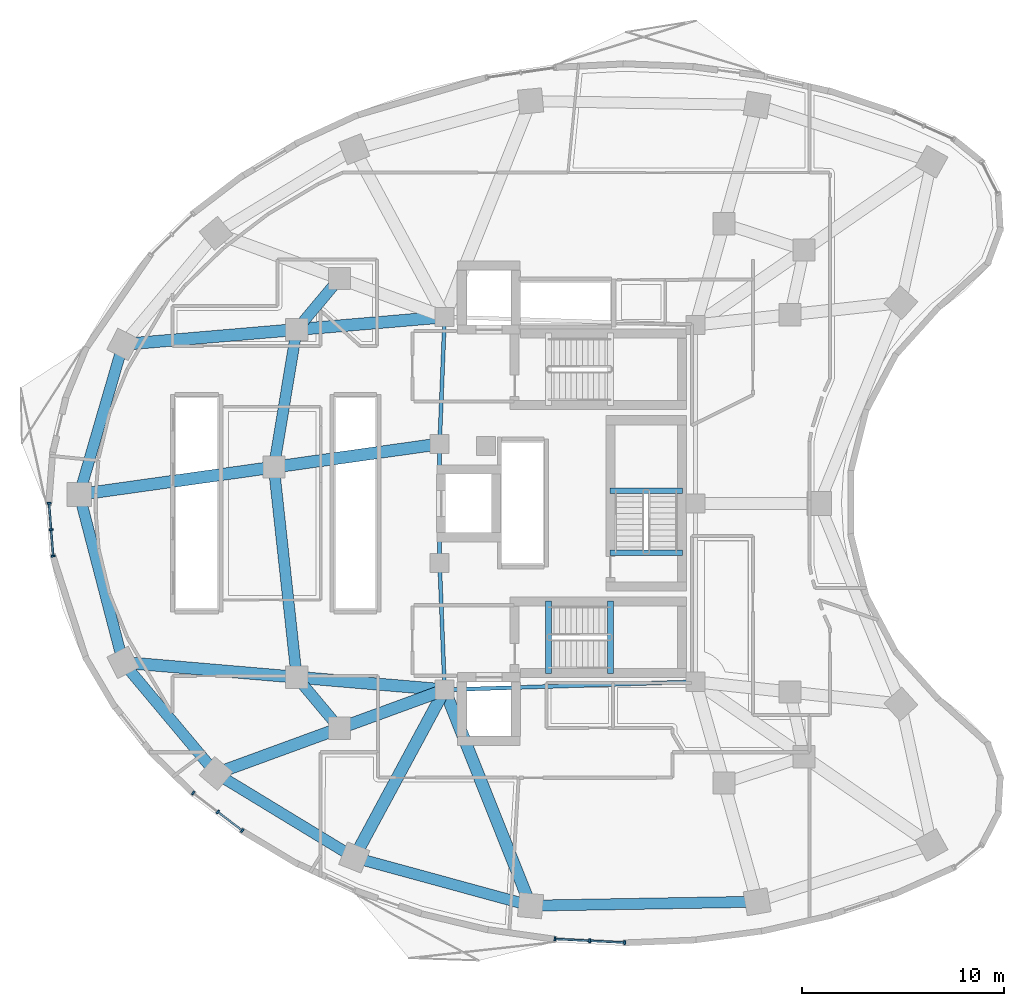
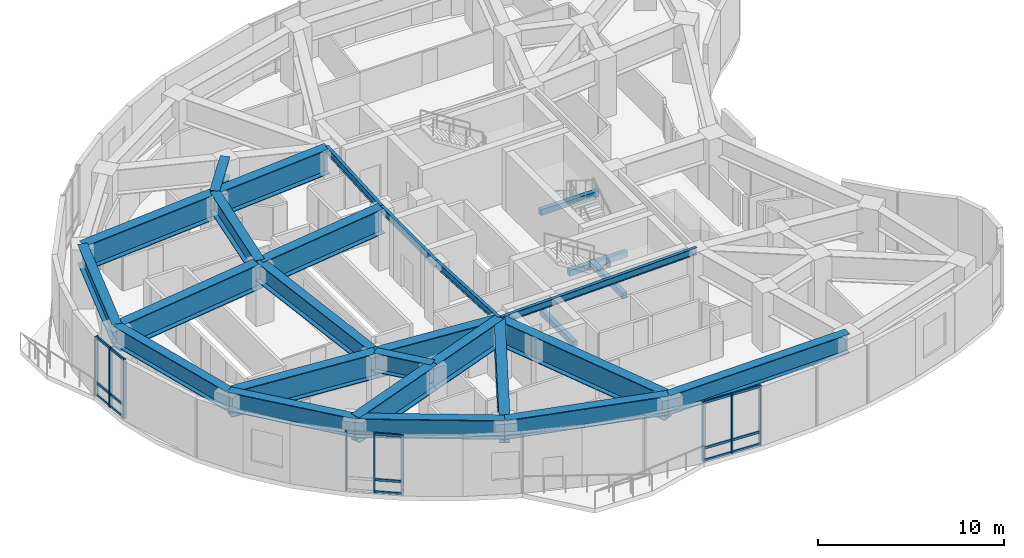
# One storey, part 2 of 13: 28 beams, 24 members, 3 elements without a shape of their own.
"""IFC4 building model written with IfcOpenShell, lengths in metres."""

from ifc_helpers import new_model, si_unit, direction, frame, origin, origin_2d, place, context, subcontext, project, spatial, rectangle, i_section, extrude, material, layer, layer_set, material_profile, profile_set, type_object, element, aggregate, save


model = new_model("IFC4")

# Units and contexts
model_context = context("Model", 3, precision=1e-05, world=origin(), true_north=direction((0.0, 1.0)))
body_context = subcontext(model_context, "Body", "Model", "MODEL_VIEW")
ifc_project = project(units=[si_unit("LENGTHUNIT", "METRE"), si_unit("AREAUNIT", "SQUARE_METRE"), si_unit("VOLUMEUNIT", "CUBIC_METRE"), si_unit("PLANEANGLEUNIT", "RADIAN"), si_unit("MASSUNIT", "GRAM", prefix="KILO")], contexts=[model_context])

# Site, building, storey
site_placement = place(None, origin())
site = spatial("IfcSite", under=ifc_project, at=site_placement, CompositionType="ELEMENT")
building_placement = place(site_placement, origin())
building = spatial("IfcBuilding", under=site, at=building_placement, Name="Korentha Bioscience Tower", CompositionType="ELEMENT")
storey_placement = place(building_placement, frame((0.0, 0.0, 144.60009765625)))
storey = spatial("IfcBuildingStorey", under=building, at=storey_placement, Name="L33", CompositionType="ELEMENT", Elevation=144.60009765625)

# Beams
ifc_material_1 = material(Name="Concrete C50", Category="concrete")
ifc_material_profile_1 = material_profile(ifc_material_1, rectangle(XDim=0.280029296875, YDim=0.3798828125, at=origin_2d()), Name="Concrete C50")
ifc_profile_set_1 = profile_set([ifc_material_profile_1], Name="Concrete C50 (ST-HB380)")
beam_type_1 = type_object("IfcBeamType", Name="Concrete Stair Header Beam RC 280x380", PredefinedType="BEAM", material=ifc_profile_set_1)
for number, where, z_axis, x_axis, name in (
    (1, (30.25, 18.550048828125, -0.190185546875), (0.0, 1.0, 0.0), (-1.0, 0.0, 0.0), "L33 ST-2 Concrete Stair Header Beam"),
    (2, (33.330078125, 18.550048828125, 1.909912109375), (0.0, 1.0, 0.0), (-1.0, 0.0, 0.0), "L33 ST-2 Half-Landing Header Beam 1"),
    (3, (36.89990234375, 24.550048828125, -0.190185546875), (-1.0, 0.0, 0.0), (0.0, -1.0, 0.0), "L33 ST-3 Concrete Stair Header Beam"),
    (4, (36.89990234375, 27.6298828125, 1.909912109375), (-1.0, 0.0, 0.0), (0.0, -1.0, 0.0), "L33 ST-3 Half-Landing Header Beam 1"),
):
    element("IfcBeam", number, at=place(storey_placement, frame(where, z_axis=z_axis, x_axis=x_axis)), inside=storey, type_object=beam_type_1, Name=name, PredefinedType="BEAM", context=body_context, shape_type="SweptSolid", body=[
        extrude(rectangle(XDim=0.280029296875, YDim=0.3798828125, at=origin_2d()), origin(), (0.0, 0.0, 1.0), 3.599853515625),
    ])
ifc_material_2 = material(Name="Steel S355", Category="steel")
ifc_material_profile_2 = material_profile(ifc_material_2, i_section(OverallWidth=0.550048828125, OverallDepth=1.25, WebThickness=0.02392578125, FlangeThickness=0.0400390625, at=origin_2d()), Name="Steel S355")
ifc_profile_set_2 = profile_set([ifc_material_profile_2], Name="Steel S355 (TG-03)")
beam_type_2 = type_object("IfcBeamType", Name="Crown Step Transfer Girder CVS 1250x510", PredefinedType="USERDEFINED", material=ifc_profile_set_2)
beam_1_placement = place(storey_placement, frame((19.882568359375, 38.158935546875, 3.2548828125), z_axis=(-0.642121371708, -0.766602989817, 0.0), x_axis=(0.766602989817, -0.642121371708, 0.0)))
element("IfcBeam", 5, at=beam_1_placement, inside=storey, type_object=beam_type_2, Name="L33 Mid-Ring Tie Girder 05", ObjectType="TRANSFER_GIRDER", PredefinedType="USERDEFINED", context=body_context, shape_type="SweptSolid", body=[
    extrude(i_section(OverallWidth=0.550048828125, OverallDepth=1.25, WebThickness=0.02392578125, FlangeThickness=0.0400390625, at=origin_2d()), origin(), (0.0, 0.0, 1.0), 3.306640625),
])
beam_2_placement = place(storey_placement, frame((17.75927734375, 35.6240234375, 3.2548828125), z_axis=(-0.163580878592, -0.986529926641, 0.0), x_axis=(0.986529926641, -0.163580878592, 0.0)))
element("IfcBeam", 6, at=beam_2_placement, inside=storey, type_object=beam_type_2, Name="L33 Mid-Ring Tie Girder 06", ObjectType="TRANSFER_GIRDER", PredefinedType="USERDEFINED", context=body_context, shape_type="SweptSolid", body=[
    extrude(i_section(OverallWidth=0.550048828125, OverallDepth=1.25, WebThickness=0.02392578125, FlangeThickness=0.0400390625, at=origin_2d()), origin(), (0.0, 0.0, 1.0), 6.920654296875),
])
beam_3_placement = place(storey_placement, frame((16.627197265625, 28.796630859375, 3.2548828125), z_axis=(0.108002632645, -0.994150607977, 0.0), x_axis=(0.994150607977, 0.108002632645, 0.0)))
element("IfcBeam", 7, at=beam_3_placement, inside=storey, type_object=beam_type_2, Name="L33 Mid-Ring Tie Girder 07", ObjectType="TRANSFER_GIRDER", PredefinedType="USERDEFINED", context=body_context, shape_type="SweptSolid", body=[
    extrude(i_section(OverallWidth=0.550048828125, OverallDepth=1.25, WebThickness=0.02392578125, FlangeThickness=0.0400390625, at=origin_2d()), origin(), (0.0, 0.0, 1.0), 10.48193359375),
])
beam_4_placement = place(storey_placement, frame((17.75927734375, 18.3759765625, 3.2548828125), z_axis=(0.642121371708, -0.766602989817, 0.0), x_axis=(0.766602989817, 0.642121371708, 0.0)))
element("IfcBeam", 8, at=beam_4_placement, inside=storey, type_object=beam_type_2, Name="L33 Mid-Ring Tie Girder 08", ObjectType="TRANSFER_GIRDER", PredefinedType="USERDEFINED", context=body_context, shape_type="SweptSolid", body=[
    extrude(i_section(OverallWidth=0.550048828125, OverallDepth=1.25, WebThickness=0.02392578125, FlangeThickness=0.0400390625, at=origin_2d()), origin(), (0.0, 0.0, 1.0), 3.306640625),
])
beam_5_placement = place(storey_placement, frame((9.141845703125, 34.889404296875, 3.2548828125), z_axis=(-0.279486251653, -0.960149694129, 0.0), x_axis=(0.960149694129, -0.279486251653, 0.0)))
element("IfcBeam", 9, at=beam_5_placement, inside=storey, type_object=beam_type_2, Name="L33 Perimeter Spandrel Girder 06", ObjectType="TRANSFER_GIRDER", PredefinedType="USERDEFINED", context=body_context, shape_type="SweptSolid", body=[
    extrude(i_section(OverallWidth=0.550048828125, OverallDepth=1.25, WebThickness=0.02392578125, FlangeThickness=0.0400390625, at=origin_2d()), origin(), (0.0, 0.0, 1.0), 7.756103515625),
])
beam_6_placement = place(storey_placement, frame((6.97412109375, 27.4423828125, 3.2548828125), z_axis=(0.251792692694, -0.96778119423, 0.0), x_axis=(0.96778119423, 0.251792692694, 0.0)))
element("IfcBeam", 10, at=beam_6_placement, inside=storey, type_object=beam_type_2, Name="L33 Perimeter Spandrel Girder 07", ObjectType="TRANSFER_GIRDER", PredefinedType="USERDEFINED", context=body_context, shape_type="SweptSolid", body=[
    extrude(i_section(OverallWidth=0.550048828125, OverallDepth=1.25, WebThickness=0.02392578125, FlangeThickness=0.0400390625, at=origin_2d()), origin(), (0.0, 0.0, 1.0), 8.609130859375),
])
beam_7_placement = place(storey_placement, frame((9.141845703125, 19.110595703125, 3.2548828125), z_axis=(0.642126556076, -0.76659864726, 0.0), x_axis=(0.76659864726, 0.642126556076, 0.0)))
element("IfcBeam", 11, at=beam_7_placement, inside=storey, type_object=beam_type_2, Name="L33 Perimeter Spandrel Girder 08", ObjectType="TRANSFER_GIRDER", PredefinedType="USERDEFINED", context=body_context, shape_type="SweptSolid", body=[
    extrude(i_section(OverallWidth=0.550048828125, OverallDepth=1.25, WebThickness=0.02392578125, FlangeThickness=0.0400390625, at=origin_2d()), origin(), (0.0, 0.0, 1.0), 7.1884765625),
])
beam_8_placement = place(storey_placement, frame((13.7578125, 13.599853515625, 3.2548828125), z_axis=(0.854461040474, -0.51951547649, 0.0), x_axis=(0.51951547649, 0.854461040474, 0.0)))
element("IfcBeam", 12, at=beam_8_placement, inside=storey, type_object=beam_type_2, Name="L33 Perimeter Spandrel Girder 09", ObjectType="TRANSFER_GIRDER", PredefinedType="USERDEFINED", context=body_context, shape_type="SweptSolid", body=[
    extrude(i_section(OverallWidth=0.550048828125, OverallDepth=1.25, WebThickness=0.02392578125, FlangeThickness=0.0400390625, at=origin_2d()), origin(), (0.0, 0.0, 1.0), 8.025146484375),
])
beam_9_placement = place(storey_placement, frame((20.614990234375, 9.4306640625, 3.2548828125), z_axis=(0.964659386444, -0.263500034431, 0.0), x_axis=(0.263500034431, 0.964659386444, 0.0)))
element("IfcBeam", 13, at=beam_9_placement, inside=storey, type_object=beam_type_2, Name="L33 Perimeter Spandrel Girder 10", ObjectType="TRANSFER_GIRDER", PredefinedType="USERDEFINED", context=body_context, shape_type="SweptSolid", body=[
    extrude(i_section(OverallWidth=0.550048828125, OverallDepth=1.25, WebThickness=0.02392578125, FlangeThickness=0.0400390625, at=origin_2d()), origin(), (0.0, 0.0, 1.0), 9.06982421875),
])
beam_10_placement = place(storey_placement, frame((29.3642578125, 7.040771484375, 3.2548828125), z_axis=(0.999850566826, 0.017287105523, 0.0), x_axis=(-0.017287105523, 0.999850566826, 0.0)))
element("IfcBeam", 14, at=beam_10_placement, inside=storey, type_object=beam_type_2, Name="L33 Perimeter Spandrel Girder 11", ObjectType="TRANSFER_GIRDER", PredefinedType="USERDEFINED", context=body_context, shape_type="SweptSolid", body=[
    extrude(i_section(OverallWidth=0.550048828125, OverallDepth=1.25, WebThickness=0.02392578125, FlangeThickness=0.0400390625, at=origin_2d()), origin(), (0.0, 0.0, 1.0), 11.24169921875),
])
ifc_material_profile_3 = material_profile(ifc_material_2, i_section(OverallWidth=0.60009765625, OverallDepth=1.64990234375, WebThickness=0.02587890625, FlangeThickness=0.0439453125, at=origin_2d()), Name="Steel S355")
ifc_profile_set_3 = profile_set([ifc_material_profile_3], Name="Steel S355 (TG-04)")
beam_type_3 = type_object("IfcBeamType", Name="Deep Setback Transfer Girder CVS 1650x620", PredefinedType="USERDEFINED", material=ifc_profile_set_3)
beam_11_placement = place(storey_placement, frame((25.10009765625, 36.25, 3.054931640625), z_axis=(-0.996383934197, -0.084965026183, 0.0), x_axis=(0.084965026183, -0.996383934197, 0.0)))
element("IfcBeam", 15, at=beam_11_placement, inside=storey, type_object=beam_type_3, Name="L33 Inner Radial Transfer Girder 06", ObjectType="TRANSFER_GIRDER", PredefinedType="USERDEFINED", context=body_context, shape_type="SweptSolid", body=[
    extrude(i_section(OverallWidth=0.60009765625, OverallDepth=1.64990234375, WebThickness=0.02587890625, FlangeThickness=0.0439453125, at=origin_2d()), origin(), (0.0, 0.0, 1.0), 7.367431640625),
])
beam_12_placement = place(storey_placement, frame((17.75927734375, 35.6240234375, 3.054931640625), z_axis=(-0.996386071548, -0.084939957767, 0.0), x_axis=(0.084939957767, -0.996386071548, 0.0)))
element("IfcBeam", 16, at=beam_12_placement, inside=storey, type_object=beam_type_3, Name="L33 Outer Radial Transfer Girder 06", ObjectType="TRANSFER_GIRDER", PredefinedType="USERDEFINED", context=body_context, shape_type="SweptSolid", body=[
    extrude(i_section(OverallWidth=0.60009765625, OverallDepth=1.64990234375, WebThickness=0.02587890625, FlangeThickness=0.0439453125, at=origin_2d()), origin(), (0.0, 0.0, 1.0), 8.648681640625),
])
beam_13_placement = place(storey_placement, frame((24.85009765625, 29.949951171875, 3.054931640625), z_axis=(-0.990306752817, -0.13889757134, 0.0), x_axis=(0.13889757134, -0.990306752817, 0.0)))
element("IfcBeam", 17, at=beam_13_placement, inside=storey, type_object=beam_type_3, Name="L33 Inner Radial Transfer Girder 07", ObjectType="TRANSFER_GIRDER", PredefinedType="USERDEFINED", context=body_context, shape_type="SweptSolid", body=[
    extrude(i_section(OverallWidth=0.60009765625, OverallDepth=1.64990234375, WebThickness=0.02587890625, FlangeThickness=0.0439453125, at=origin_2d()), origin(), (0.0, 0.0, 1.0), 8.303466796875),
])
beam_14_placement = place(storey_placement, frame((16.627197265625, 28.796630859375, 3.054931640625), z_axis=(-0.99030201931, -0.138931315944, 0.0), x_axis=(0.138931315944, -0.99030201931, 0.0)))
element("IfcBeam", 18, at=beam_14_placement, inside=storey, type_object=beam_type_3, Name="L33 Outer Radial Transfer Girder 07", ObjectType="TRANSFER_GIRDER", PredefinedType="USERDEFINED", context=body_context, shape_type="SweptSolid", body=[
    extrude(i_section(OverallWidth=0.60009765625, OverallDepth=1.64990234375, WebThickness=0.02587890625, FlangeThickness=0.0439453125, at=origin_2d()), origin(), (0.0, 0.0, 1.0), 9.74755859375),
])
beam_15_placement = place(storey_placement, frame((25.10009765625, 17.75, 3.054931640625), z_axis=(-0.996383934197, 0.084965026183, 0.0), x_axis=(-0.084965026183, -0.996383934197, 0.0)))
element("IfcBeam", 19, at=beam_15_placement, inside=storey, type_object=beam_type_3, Name="L33 Inner Radial Transfer Girder 08", ObjectType="TRANSFER_GIRDER", PredefinedType="USERDEFINED", context=body_context, shape_type="SweptSolid", body=[
    extrude(i_section(OverallWidth=0.60009765625, OverallDepth=1.64990234375, WebThickness=0.02587890625, FlangeThickness=0.0439453125, at=origin_2d()), origin(), (0.0, 0.0, 1.0), 7.367431640625),
])
beam_16_placement = place(storey_placement, frame((17.75927734375, 18.3759765625, 3.054931640625), z_axis=(-0.996386071548, 0.084939957767, 0.0), x_axis=(-0.084939957767, -0.996386071548, 0.0)))
element("IfcBeam", 20, at=beam_16_placement, inside=storey, type_object=beam_type_3, Name="L33 Outer Radial Transfer Girder 08", ObjectType="TRANSFER_GIRDER", PredefinedType="USERDEFINED", context=body_context, shape_type="SweptSolid", body=[
    extrude(i_section(OverallWidth=0.60009765625, OverallDepth=1.64990234375, WebThickness=0.02587890625, FlangeThickness=0.0439453125, at=origin_2d()), origin(), (0.0, 0.0, 1.0), 8.648681640625),
])
beam_17_placement = place(storey_placement, frame((25.10009765625, 17.75, 3.054931640625), z_axis=(-0.939118010396, -0.343594765022, 0.0), x_axis=(0.343594765022, -0.939118010396, 0.0)))
element("IfcBeam", 21, at=beam_17_placement, inside=storey, type_object=beam_type_3, Name="L33 Inner Radial Transfer Girder 09", ObjectType="TRANSFER_GIRDER", PredefinedType="USERDEFINED", context=body_context, shape_type="SweptSolid", body=[
    extrude(i_section(OverallWidth=0.60009765625, OverallDepth=1.64990234375, WebThickness=0.02587890625, FlangeThickness=0.0439453125, at=origin_2d()), origin(), (0.0, 0.0, 1.0), 5.5556640625),
])
beam_18_placement = place(storey_placement, frame((19.882568359375, 15.841064453125, 3.054931640625), z_axis=(-0.939100755225, -0.343641923425, 0.0), x_axis=(0.343641923425, -0.939100755225, 0.0)))
element("IfcBeam", 22, at=beam_18_placement, inside=storey, type_object=beam_type_3, Name="L33 Outer Radial Transfer Girder 09", ObjectType="TRANSFER_GIRDER", PredefinedType="USERDEFINED", context=body_context, shape_type="SweptSolid", body=[
    extrude(i_section(OverallWidth=0.60009765625, OverallDepth=1.64990234375, WebThickness=0.02587890625, FlangeThickness=0.0439453125, at=origin_2d()), origin(), (0.0, 0.0, 1.0), 6.52197265625),
])
beam_19_placement = place(storey_placement, frame((25.10009765625, 17.75, 3.054931640625), z_axis=(-0.474548018732, -0.880229616587, 0.0), x_axis=(0.880229616587, -0.474548018732, 0.0)))
element("IfcBeam", 23, at=beam_19_placement, inside=storey, type_object=beam_type_3, Name="L33 Radial Transfer Girder 10", ObjectType="TRANSFER_GIRDER", PredefinedType="USERDEFINED", context=body_context, shape_type="SweptSolid", body=[
    extrude(i_section(OverallWidth=0.60009765625, OverallDepth=1.64990234375, WebThickness=0.02587890625, FlangeThickness=0.0439453125, at=origin_2d()), origin(), (0.0, 0.0, 1.0), 9.451416015625),
])
beam_20_placement = place(storey_placement, frame((25.10009765625, 17.75, 3.054931640625), z_axis=(0.369929528493, -0.929059817207, 0.0), x_axis=(0.929059817207, 0.369929528493, 0.0)))
element("IfcBeam", 24, at=beam_20_placement, inside=storey, type_object=beam_type_3, Name="L33 Radial Transfer Girder 11", ObjectType="TRANSFER_GIRDER", PredefinedType="USERDEFINED", context=body_context, shape_type="SweptSolid", body=[
    extrude(i_section(OverallWidth=0.60009765625, OverallDepth=1.64990234375, WebThickness=0.02587890625, FlangeThickness=0.0439453125, at=origin_2d()), origin(), (0.0, 0.0, 1.0), 11.52685546875),
])
ifc_material_profile_4 = material_profile(ifc_material_2, i_section(OverallWidth=0.18994140625, OverallDepth=0.45703125, WebThickness=0.009033203125, FlangeThickness=0.014404296875, at=origin_2d()), Name="Steel S355")
ifc_profile_set_4 = profile_set([ifc_material_profile_4], Name="Steel S355 (MB-460)")
beam_type_4 = type_object("IfcBeamType", Name="Mid-Ring Tie Girder W460x74", PredefinedType="BEAM", material=ifc_profile_set_4)
beam_21_placement = place(storey_placement, frame((25.10009765625, 36.25, 3.6513671875), z_axis=(-0.039651025576, -0.999213588864, 0.0), x_axis=(0.999213588864, -0.039651025576, 0.0)))
element("IfcBeam", 25, at=beam_21_placement, inside=storey, type_object=beam_type_4, Name="L33 Core Ring Tie Girder 02", PredefinedType="BEAM", context=body_context, shape_type="SweptSolid", body=[
    extrude(i_section(OverallWidth=0.18994140625, OverallDepth=0.45703125, WebThickness=0.009033203125, FlangeThickness=0.014404296875, at=origin_2d()), origin(), (0.0, 0.0, 1.0), 6.304931640625),
])
beam_22_placement = place(storey_placement, frame((24.85009765625, 29.949951171875, 3.6513671875), z_axis=(0.0, -1.0, 0.0), x_axis=(1.0, 0.0, 0.0)))
element("IfcBeam", 26, at=beam_22_placement, inside=storey, type_object=beam_type_4, Name="L33 Core Ring Tie Girder 03", PredefinedType="BEAM", context=body_context, shape_type="SweptSolid", body=[
    extrude(i_section(OverallWidth=0.18994140625, OverallDepth=0.45703125, WebThickness=0.009033203125, FlangeThickness=0.014404296875, at=origin_2d()), origin(), (0.0, 0.0, 1.0), 5.89990234375),
])
beam_23_placement = place(storey_placement, frame((24.85009765625, 24.050048828125, 3.6513671875), z_axis=(0.039651025576, -0.999213588864, 0.0), x_axis=(0.999213588864, 0.039651025576, 0.0)))
element("IfcBeam", 27, at=beam_23_placement, inside=storey, type_object=beam_type_4, Name="L33 Core Ring Tie Girder 04", PredefinedType="BEAM", context=body_context, shape_type="SweptSolid", body=[
    extrude(i_section(OverallWidth=0.18994140625, OverallDepth=0.45703125, WebThickness=0.009033203125, FlangeThickness=0.014404296875, at=origin_2d()), origin(), (0.0, 0.0, 1.0), 6.304931640625),
])
beam_24_placement = place(storey_placement, frame((25.10009765625, 17.75, 3.6513671875), z_axis=(0.999484526071, 0.032104238723, 0.0), x_axis=(-0.032104238723, 0.999484526071, 0.0)))
element("IfcBeam", 28, at=beam_24_placement, inside=storey, type_object=beam_type_4, Name="L33 Core Ring Tie Girder 05", PredefinedType="BEAM", context=body_context, shape_type="SweptSolid", body=[
    extrude(i_section(OverallWidth=0.18994140625, OverallDepth=0.45703125, WebThickness=0.009033203125, FlangeThickness=0.014404296875, at=origin_2d()), origin(), (0.0, 0.0, 1.0), 12.456298828125),
])

# Curtain wall, members
ifc_material_3 = material(Name="Thermally Broken Aluminium Frame", Category="aluminium")
ifc_layer = layer(ifc_material_3, 0.219970703125, Name="Thermally Broken Aluminium Frame")
ifc_layer_set = layer_set([ifc_layer], Name="Thermally Broken Aluminium Frame (CW-T1)")
curtain_wall_type = type_object("IfcCurtainWallType", Name="Standard Bioscience Lab Unitised Curtain Wall CW-T1", PredefinedType="USERDEFINED", material=ifc_layer_set)
curtain_wall_1_placement = place(storey_placement, origin())
curtain_wall_1 = element("IfcCurtainWall", 29, at=curtain_wall_1_placement, inside=storey, type_object=curtain_wall_type, Name="L33 Curtain Wall 19", ObjectType="UNITISED", PredefinedType="USERDEFINED")
ifc_material_4 = material(Name="Anodised Aluminium 6063-T6", Category="aluminium")
ifc_material_profile_5 = material_profile(ifc_material_4, rectangle(XDim=0.090087890625, YDim=0.199951171875, at=origin_2d()), Name="Anodised Aluminium 6063-T6")
ifc_profile_set_5 = profile_set([ifc_material_profile_5], Name="Anodised Aluminium 6063-T6 (CW-MUL)")
member_type_1 = type_object("IfcMemberType", Name="Mullion RECT 90x200", PredefinedType="MULLION", material=ifc_profile_set_5)
member_1_placement = place(storey_placement, frame((5.473876953125, 27.0078125, 0.0), z_axis=(0.0, 0.0, 1.0), x_axis=(0.079130214674, -0.996864288219, 0.0)))
member_1 = element("IfcMember", 30, at=member_1_placement, type_object=member_type_1, Name="CW-L33-19 Mullion 1", PredefinedType="MULLION", context=body_context, shape_type="SweptSolid", body=[
    extrude(rectangle(XDim=0.090087890625, YDim=0.199951171875, at=origin_2d()), origin(), (0.0, 0.0, 1.0), 3.8798828125),
])
member_2_placement = place(storey_placement, frame((5.577880859375, 25.6962890625, 0.0), z_axis=(0.0, 0.0, 1.0), x_axis=(0.079130214674, -0.996864288219, 0.0)))
member_2 = element("IfcMember", 31, at=member_2_placement, type_object=member_type_1, Name="CW-L33-19 Mullion 2", PredefinedType="MULLION", context=body_context, shape_type="SweptSolid", body=[
    extrude(rectangle(XDim=0.090087890625, YDim=0.199951171875, at=origin_2d()), origin(), (0.0, 0.0, 1.0), 3.8798828125),
])
member_3_placement = place(storey_placement, frame((5.681884765625, 24.38525390625, 0.0), z_axis=(0.0, 0.0, 1.0), x_axis=(0.079130214674, -0.996864288219, 0.0)))
member_3 = element("IfcMember", 32, at=member_3_placement, type_object=member_type_1, Name="CW-L33-19 Mullion 3", PredefinedType="MULLION", context=body_context, shape_type="SweptSolid", body=[
    extrude(rectangle(XDim=0.090087890625, YDim=0.199951171875, at=origin_2d()), origin(), (0.0, 0.0, 1.0), 3.8798828125),
])

curtain_wall_2_placement = place(storey_placement, origin())
curtain_wall_2 = element("IfcCurtainWall", 33, at=curtain_wall_2_placement, inside=storey, type_object=curtain_wall_type, Name="L33 Curtain Wall 25", ObjectType="UNITISED", PredefinedType="USERDEFINED")
member_4_placement = place(storey_placement, frame((12.624267578125, 12.62890625, 0.0), z_axis=(0.0, 0.0, 1.0), x_axis=(0.794499603893, -0.607264669986, 0.0)))
member_4 = element("IfcMember", 34, at=member_4_placement, type_object=member_type_1, Name="CW-L33-25 Mullion 1", PredefinedType="MULLION", context=body_context, shape_type="SweptSolid", body=[
    extrude(rectangle(XDim=0.090087890625, YDim=0.199951171875, at=origin_2d()), origin(), (0.0, 0.0, 1.0), 3.8798828125),
])
member_5_placement = place(storey_placement, frame((13.844970703125, 11.69580078125, 0.0), z_axis=(0.0, 0.0, 1.0), x_axis=(0.794499603893, -0.607264669986, 0.0)))
member_5 = element("IfcMember", 35, at=member_5_placement, type_object=member_type_1, Name="CW-L33-25 Mullion 2", PredefinedType="MULLION", context=body_context, shape_type="SweptSolid", body=[
    extrude(rectangle(XDim=0.090087890625, YDim=0.199951171875, at=origin_2d()), origin(), (0.0, 0.0, 1.0), 3.8798828125),
])
member_6_placement = place(storey_placement, frame((15.0654296875, 10.7626953125, 0.0), z_axis=(0.0, 0.0, 1.0), x_axis=(0.794499603893, -0.607264669986, 0.0)))
member_6 = element("IfcMember", 36, at=member_6_placement, type_object=member_type_1, Name="CW-L33-25 Mullion 3", PredefinedType="MULLION", context=body_context, shape_type="SweptSolid", body=[
    extrude(rectangle(XDim=0.090087890625, YDim=0.199951171875, at=origin_2d()), origin(), (0.0, 0.0, 1.0), 3.8798828125),
])

curtain_wall_3_placement = place(storey_placement, origin())
curtain_wall_3 = element("IfcCurtainWall", 37, at=curtain_wall_3_placement, inside=storey, type_object=curtain_wall_type, Name="L33 Curtain Wall 31", ObjectType="UNITISED", PredefinedType="USERDEFINED")
member_7_placement = place(storey_placement, frame((30.571533203125, 5.39111328125, 0.0), z_axis=(0.0, 0.0, 1.0), x_axis=(0.998673231344, -0.051495407527, 0.0)))
member_7 = element("IfcMember", 38, at=member_7_placement, type_object=member_type_1, Name="CW-L33-31 Mullion 1", PredefinedType="MULLION", context=body_context, shape_type="SweptSolid", body=[
    extrude(rectangle(XDim=0.090087890625, YDim=0.199951171875, at=origin_2d()), origin(), (0.0, 0.0, 1.0), 3.8798828125),
])
member_8_placement = place(storey_placement, frame((32.301025390625, 5.302001953125, 0.0), z_axis=(0.0, 0.0, 1.0), x_axis=(0.998673231344, -0.051495407527, 0.0)))
member_8 = element("IfcMember", 39, at=member_8_placement, type_object=member_type_1, Name="CW-L33-31 Mullion 2", PredefinedType="MULLION", context=body_context, shape_type="SweptSolid", body=[
    extrude(rectangle(XDim=0.090087890625, YDim=0.199951171875, at=origin_2d()), origin(), (0.0, 0.0, 1.0), 3.8798828125),
])
member_9_placement = place(storey_placement, frame((34.03076171875, 5.212646484375, 0.0), z_axis=(0.0, 0.0, 1.0), x_axis=(0.998673231344, -0.051495407527, 0.0)))
member_9 = element("IfcMember", 40, at=member_9_placement, type_object=member_type_1, Name="CW-L33-31 Mullion 3", PredefinedType="MULLION", context=body_context, shape_type="SweptSolid", body=[
    extrude(rectangle(XDim=0.090087890625, YDim=0.199951171875, at=origin_2d()), origin(), (0.0, 0.0, 1.0), 3.8798828125),
])

# Member
ifc_material_profile_6 = material_profile(ifc_material_4, rectangle(XDim=0.090087890625, YDim=0.159912109375, at=origin_2d()), Name="Anodised Aluminium 6063-T6")
ifc_profile_set_6 = profile_set([ifc_material_profile_6], Name="Anodised Aluminium 6063-T6 (CW-TRN)")
member_type_2 = type_object("IfcMemberType", Name="Transom RECT 90x160", PredefinedType="USERDEFINED", material=ifc_profile_set_6)
member_10_placement = place(storey_placement, frame((5.477294921875, 26.962890625, 0.044921875), z_axis=(0.079285983344, -0.996851911191, 0.0), x_axis=(0.996851911191, 0.079285983344, 0.0)))
member_10 = element("IfcMember", 41, at=member_10_placement, type_object=member_type_2, Name="CW-L33-19 Bay 1 Transom 1", ObjectType="TRANSOM", PredefinedType="USERDEFINED", context=body_context, shape_type="SweptSolid", body=[
    extrude(rectangle(XDim=0.090087890625, YDim=0.159912109375, at=origin_2d()), origin(), (0.0, 0.0, 1.0), 1.2255859375),
])

member_11_placement = place(storey_placement, frame((5.477294921875, 26.962890625, 0.849853515625), z_axis=(0.079285983344, -0.996851911191, 0.0), x_axis=(0.996851911191, 0.079285983344, 0.0)))
member_11 = element("IfcMember", 42, at=member_11_placement, type_object=member_type_2, Name="CW-L33-19 Bay 1 Transom 2", ObjectType="TRANSOM", PredefinedType="USERDEFINED", context=body_context, shape_type="SweptSolid", body=[
    extrude(rectangle(XDim=0.090087890625, YDim=0.159912109375, at=origin_2d()), origin(), (0.0, 0.0, 1.0), 1.2255859375),
])

member_12_placement = place(storey_placement, frame((5.477294921875, 26.962890625, 3.8349609375), z_axis=(0.079285983344, -0.996851911191, 0.0), x_axis=(0.996851911191, 0.079285983344, 0.0)))
member_12 = element("IfcMember", 43, at=member_12_placement, type_object=member_type_2, Name="CW-L33-19 Bay 1 Transom 3", ObjectType="TRANSOM", PredefinedType="USERDEFINED", context=body_context, shape_type="SweptSolid", body=[
    extrude(rectangle(XDim=0.090087890625, YDim=0.159912109375, at=origin_2d()), origin(), (0.0, 0.0, 1.0), 1.2255859375),
])

member_13_placement = place(storey_placement, frame((5.58154296875, 25.651611328125, 0.044921875), z_axis=(0.079088019938, -0.996867636701, 0.0), x_axis=(0.996867636701, 0.079088019938, 0.0)))
member_13 = element("IfcMember", 44, at=member_13_placement, type_object=member_type_2, Name="CW-L33-19 Bay 2 Transom 1", ObjectType="TRANSOM", PredefinedType="USERDEFINED", context=body_context, shape_type="SweptSolid", body=[
    extrude(rectangle(XDim=0.090087890625, YDim=0.159912109375, at=origin_2d()), origin(), (0.0, 0.0, 1.0), 1.2255859375),
])

member_14_placement = place(storey_placement, frame((5.58154296875, 25.651611328125, 0.849853515625), z_axis=(0.079088019938, -0.996867636701, 0.0), x_axis=(0.996867636701, 0.079088019938, 0.0)))
member_14 = element("IfcMember", 45, at=member_14_placement, type_object=member_type_2, Name="CW-L33-19 Bay 2 Transom 2", ObjectType="TRANSOM", PredefinedType="USERDEFINED", context=body_context, shape_type="SweptSolid", body=[
    extrude(rectangle(XDim=0.090087890625, YDim=0.159912109375, at=origin_2d()), origin(), (0.0, 0.0, 1.0), 1.2255859375),
])

member_15_placement = place(storey_placement, frame((5.58154296875, 25.651611328125, 3.8349609375), z_axis=(0.079088019938, -0.996867636701, 0.0), x_axis=(0.996867636701, 0.079088019938, 0.0)))
member_15 = element("IfcMember", 46, at=member_15_placement, type_object=member_type_2, Name="CW-L33-19 Bay 2 Transom 3", ObjectType="TRANSOM", PredefinedType="USERDEFINED", context=body_context, shape_type="SweptSolid", body=[
    extrude(rectangle(XDim=0.090087890625, YDim=0.159912109375, at=origin_2d()), origin(), (0.0, 0.0, 1.0), 1.2255859375),
])

aggregate(curtain_wall_1, [member_1, member_2, member_3, member_10, member_11, member_12, member_13, member_14, member_15])

member_16_placement = place(storey_placement, frame((13.880615234375, 11.66845703125, 0.044921875), z_axis=(0.794477589546, -0.607293470828, 0.0), x_axis=(0.607293470828, 0.794477589546, 0.0)))
member_16 = element("IfcMember", 47, at=member_16_placement, type_object=member_type_2, Name="CW-L33-25 Bay 2 Transom 1", ObjectType="TRANSOM", PredefinedType="USERDEFINED", context=body_context, shape_type="SweptSolid", body=[
    extrude(rectangle(XDim=0.090087890625, YDim=0.159912109375, at=origin_2d()), origin(), (0.0, 0.0, 1.0), 1.446533203125),
])

member_17_placement = place(storey_placement, frame((13.880615234375, 11.66845703125, 0.849853515625), z_axis=(0.794477589546, -0.607293470828, 0.0), x_axis=(0.607293470828, 0.794477589546, 0.0)))
member_17 = element("IfcMember", 48, at=member_17_placement, type_object=member_type_2, Name="CW-L33-25 Bay 2 Transom 2", ObjectType="TRANSOM", PredefinedType="USERDEFINED", context=body_context, shape_type="SweptSolid", body=[
    extrude(rectangle(XDim=0.090087890625, YDim=0.159912109375, at=origin_2d()), origin(), (0.0, 0.0, 1.0), 1.446533203125),
])

member_18_placement = place(storey_placement, frame((13.880615234375, 11.66845703125, 3.8349609375), z_axis=(0.794477589546, -0.607293470828, 0.0), x_axis=(0.607293470828, 0.794477589546, 0.0)))
member_18 = element("IfcMember", 49, at=member_18_placement, type_object=member_type_2, Name="CW-L33-25 Bay 2 Transom 3", ObjectType="TRANSOM", PredefinedType="USERDEFINED", context=body_context, shape_type="SweptSolid", body=[
    extrude(rectangle(XDim=0.090087890625, YDim=0.159912109375, at=origin_2d()), origin(), (0.0, 0.0, 1.0), 1.446533203125),
])

aggregate(curtain_wall_2, [member_4, member_5, member_6, member_16, member_17, member_18])

member_19_placement = place(storey_placement, frame((30.616455078125, 5.388916015625, 0.044921875), z_axis=(0.998667892989, -0.05159883247, 0.0), x_axis=(0.05159883247, 0.998667892989, 0.0)))
member_19 = element("IfcMember", 50, at=member_19_placement, type_object=member_type_2, Name="CW-L33-31 Bay 1 Transom 1", ObjectType="TRANSOM", PredefinedType="USERDEFINED", context=body_context, shape_type="SweptSolid", body=[
    extrude(rectangle(XDim=0.090087890625, YDim=0.159912109375, at=origin_2d()), origin(), (0.0, 0.0, 1.0), 1.641845703125),
])

member_20_placement = place(storey_placement, frame((30.616455078125, 5.388916015625, 0.849853515625), z_axis=(0.998667892989, -0.05159883247, 0.0), x_axis=(0.05159883247, 0.998667892989, 0.0)))
member_20 = element("IfcMember", 51, at=member_20_placement, type_object=member_type_2, Name="CW-L33-31 Bay 1 Transom 2", ObjectType="TRANSOM", PredefinedType="USERDEFINED", context=body_context, shape_type="SweptSolid", body=[
    extrude(rectangle(XDim=0.090087890625, YDim=0.159912109375, at=origin_2d()), origin(), (0.0, 0.0, 1.0), 1.641845703125),
])

member_21_placement = place(storey_placement, frame((30.616455078125, 5.388916015625, 3.8349609375), z_axis=(0.998667892989, -0.05159883247, 0.0), x_axis=(0.05159883247, 0.998667892989, 0.0)))
member_21 = element("IfcMember", 52, at=member_21_placement, type_object=member_type_2, Name="CW-L33-31 Bay 1 Transom 3", ObjectType="TRANSOM", PredefinedType="USERDEFINED", context=body_context, shape_type="SweptSolid", body=[
    extrude(rectangle(XDim=0.090087890625, YDim=0.159912109375, at=origin_2d()), origin(), (0.0, 0.0, 1.0), 1.641845703125),
])

member_22_placement = place(storey_placement, frame((32.345947265625, 5.299560546875, 0.044921875), z_axis=(0.998675544552, -0.051450526863, 0.0), x_axis=(0.051450526863, 0.998675544552, 0.0)))
member_22 = element("IfcMember", 53, at=member_22_placement, type_object=member_type_2, Name="CW-L33-31 Bay 2 Transom 1", ObjectType="TRANSOM", PredefinedType="USERDEFINED", context=body_context, shape_type="SweptSolid", body=[
    extrude(rectangle(XDim=0.090087890625, YDim=0.159912109375, at=origin_2d()), origin(), (0.0, 0.0, 1.0), 1.641845703125),
])

member_23_placement = place(storey_placement, frame((32.345947265625, 5.299560546875, 0.849853515625), z_axis=(0.998675544552, -0.051450526863, 0.0), x_axis=(0.051450526863, 0.998675544552, 0.0)))
member_23 = element("IfcMember", 54, at=member_23_placement, type_object=member_type_2, Name="CW-L33-31 Bay 2 Transom 2", ObjectType="TRANSOM", PredefinedType="USERDEFINED", context=body_context, shape_type="SweptSolid", body=[
    extrude(rectangle(XDim=0.090087890625, YDim=0.159912109375, at=origin_2d()), origin(), (0.0, 0.0, 1.0), 1.641845703125),
])

member_24_placement = place(storey_placement, frame((32.345947265625, 5.299560546875, 3.8349609375), z_axis=(0.998675544552, -0.051450526863, 0.0), x_axis=(0.051450526863, 0.998675544552, 0.0)))
member_24 = element("IfcMember", 55, at=member_24_placement, type_object=member_type_2, Name="CW-L33-31 Bay 2 Transom 3", ObjectType="TRANSOM", PredefinedType="USERDEFINED", context=body_context, shape_type="SweptSolid", body=[
    extrude(rectangle(XDim=0.090087890625, YDim=0.159912109375, at=origin_2d()), origin(), (0.0, 0.0, 1.0), 1.641845703125),
])

aggregate(curtain_wall_3, [member_7, member_8, member_9, member_19, member_20, member_21, member_22, member_23, member_24])

save(model, "model.ifc")
